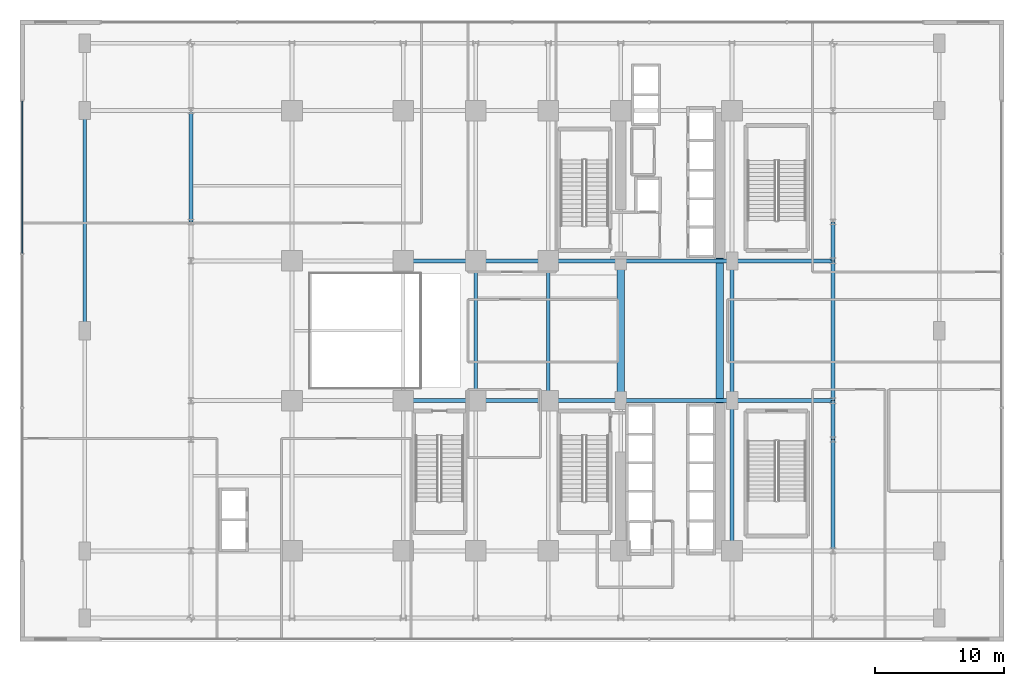
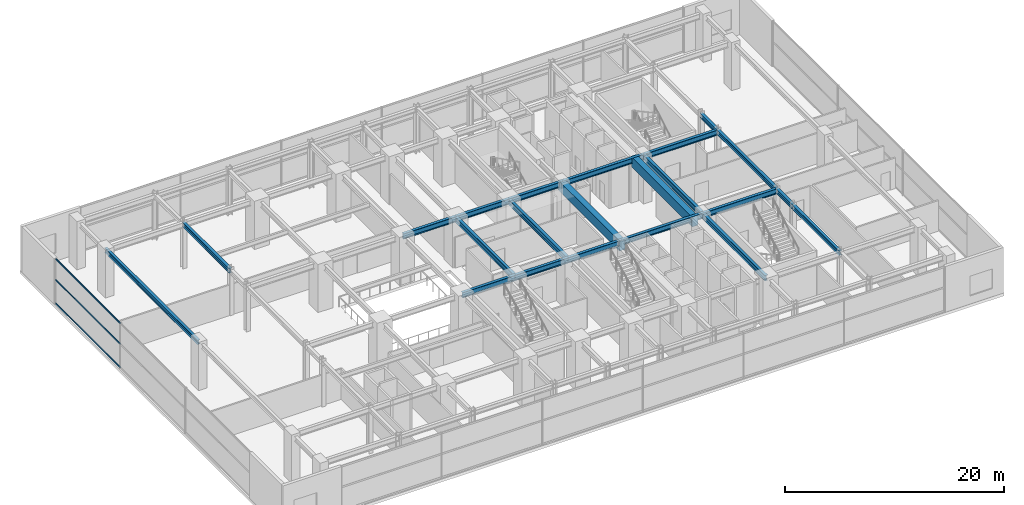
# One storey, part 13 of 32: 22 beams, 3 members, 1 element without a shape of its own.
"""IFC4 building model written with IfcOpenShell, lengths in metres."""

from ifc_helpers import new_model, si_unit, direction, frame, origin, origin_2d, place, context, subcontext, project, spatial, rectangle, hollow_rectangle, i_section, extrude, source, transform, mapped, material, material_profile, profile_set, type_object, element, aggregate, save


model = new_model("IFC4")

# Units and contexts
model_context = context("Model", 3, precision=1e-05, world=origin(), true_north=direction((0.0, 1.0)))
body_context = subcontext(model_context, "Body", "Model", "MODEL_VIEW")
ifc_project = project(units=[si_unit("LENGTHUNIT", "METRE"), si_unit("AREAUNIT", "SQUARE_METRE"), si_unit("VOLUMEUNIT", "CUBIC_METRE"), si_unit("PLANEANGLEUNIT", "RADIAN"), si_unit("MASSUNIT", "GRAM", prefix="KILO")], contexts=[model_context])

# Site, building, storey
site_placement = place(None, origin())
site = spatial("IfcSite", under=ifc_project, at=site_placement, CompositionType="ELEMENT")
building_placement = place(site_placement, origin())
building = spatial("IfcBuilding", under=site, at=building_placement, Name="Nahalor Promenade Grand Hotel", CompositionType="ELEMENT")
storey_placement = place(building_placement, frame((0.0, 0.0, 5.39990234375)))
storey = spatial("IfcBuildingStorey", under=building, at=storey_placement, Name="L01", CompositionType="ELEMENT", Elevation=5.39990234375)

# Beams
ifc_material_1 = material(Name="Concrete B-60 (C50/60)", Category="concrete")
ifc_material_profile_1 = material_profile(ifc_material_1, rectangle(XDim=0.6, YDim=1.1, at=origin_2d()), Name="RC 600x1100")
ifc_profile_set_1 = profile_set([ifc_material_profile_1], Name="Concrete B-60 (C50/60)")
beam_type_1 = type_object("IfcBeamType", Name="Beam-Lintel-RC1100", PredefinedType="LINTEL", material=ifc_profile_set_1)
shared_shape_1 = source(origin(), body_context, "Body", "SweptSolid", [
    extrude(rectangle(XDim=0.6, YDim=1.1, at=origin_2d()), origin(), (0.0, 0.0, 1.0), 11.2001953125),
])
for number, where, z_axis, x_axis, name in (
    (1, (8.39990234375, -5.60009765625, 4.530029296875), (0.0, 1.0, 0.0), (-1.0, 0.0, 0.0), "BM-L01-LINT-W"),
    (2, (16.050048828125, -5.60009765625, 4.530029296875), (0.0, 1.0, 0.0), (-1.0, 0.0, 0.0), "BM-L01-LINT-E"),
):
    element("IfcBeam", number, at=place(storey_placement, frame(where, z_axis=z_axis, x_axis=x_axis)), inside=storey, type_object=beam_type_1, Name=name, PredefinedType="LINTEL", context=body_context, shape_type="MappedRepresentation", body=[
        mapped(shared_shape_1, transform((0.0, 0.0, 0.0), scale=1.0)),
    ])
ifc_material_2 = material(Name="Steel S355JR", Category="steel")
ifc_material_profile_2 = material_profile(ifc_material_2, i_section(OverallWidth=0.3, OverallDepth=0.6, WebThickness=0.0155, FlangeThickness=0.03, at=origin_2d()), Name="HEB 600")
ifc_profile_set_2 = profile_set([ifc_material_profile_2], Name="Steel S355JR")
beam_type_2 = type_object("IfcBeamType", Name="Beam-Girder-HEB600", PredefinedType="BEAM", material=ifc_profile_set_2)
shared_shape_2 = source(origin(), body_context, "Body", "SweptSolid", [
    extrude(i_section(OverallWidth=0.3, OverallDepth=0.6, WebThickness=0.0155, FlangeThickness=0.03, at=origin_2d()), origin(), (0.0, 0.0, 1.0), 7.800048828125),
])
for number, where, z_axis, x_axis, name in (
    (3, (17.0, -5.39990234375, 4.780029296875), (1.0, 0.0, 0.0), (0.0, 1.0, 0.0), "BM-L01-GX-1-6"),
    (4, (17.0, 5.39990234375, 4.780029296875), (1.0, 0.0, 0.0), (0.0, 1.0, 0.0), "BM-L01-GX-2-6"),
):
    element("IfcBeam", number, at=place(storey_placement, frame(where, z_axis=z_axis, x_axis=x_axis)), inside=storey, type_object=beam_type_2, Name=name, PredefinedType="BEAM", context=body_context, shape_type="MappedRepresentation", body=[
        mapped(shared_shape_2, transform((0.0, 0.0, 0.0), scale=1.0)),
    ])
shared_shape_3 = source(origin(), body_context, "Body", "SweptSolid", [
    extrude(i_section(OverallWidth=0.3, OverallDepth=0.6, WebThickness=0.0155, FlangeThickness=0.03, at=origin_2d()), origin(), (0.0, 0.0, 1.0), 8.60009765625),
])
for number, where, z_axis, x_axis, name in (
    (5, (8.39990234375, -5.39990234375, 4.780029296875), (1.0, 0.0, 0.0), (0.0, 1.0, 0.0), "BM-L01-GX-1-5"),
    (6, (8.39990234375, 5.39990234375, 4.780029296875), (1.0, 0.0, 0.0), (0.0, 1.0, 0.0), "BM-L01-GX-2-5"),
):
    element("IfcBeam", number, at=place(storey_placement, frame(where, z_axis=z_axis, x_axis=x_axis)), inside=storey, type_object=beam_type_2, Name=name, PredefinedType="BEAM", context=body_context, shape_type="MappedRepresentation", body=[
        mapped(shared_shape_3, transform((0.0, 0.0, 0.0), scale=1.0)),
    ])
shared_shape_4 = source(origin(), body_context, "Body", "SweptSolid", [
    extrude(i_section(OverallWidth=0.3, OverallDepth=0.6, WebThickness=0.0155, FlangeThickness=0.03, at=origin_2d()), origin(), (0.0, 0.0, 1.0), 5.599853515625),
])
for number, where, z_axis, x_axis, name in (
    (7, (-8.39990234375, -5.39990234375, 4.780029296875), (1.0, 0.0, 0.0), (0.0, 1.0, 0.0), "BM-L01-GX-1-2"),
    (8, (2.800048828125, -5.39990234375, 4.780029296875), (1.0, 0.0, 0.0), (0.0, 1.0, 0.0), "BM-L01-GX-1-4"),
    (9, (-8.39990234375, 5.39990234375, 4.780029296875), (1.0, 0.0, 0.0), (0.0, 1.0, 0.0), "BM-L01-GX-2-2"),
    (10, (2.800048828125, 5.39990234375, 4.780029296875), (1.0, 0.0, 0.0), (0.0, 1.0, 0.0), "BM-L01-GX-2-4"),
):
    element("IfcBeam", number, at=place(storey_placement, frame(where, z_axis=z_axis, x_axis=x_axis)), inside=storey, type_object=beam_type_2, Name=name, PredefinedType="BEAM", context=body_context, shape_type="MappedRepresentation", body=[
        mapped(shared_shape_4, transform((0.0, 0.0, 0.0), scale=1.0)),
    ])
shared_shape_5 = source(origin(), body_context, "Body", "SweptSolid", [
    extrude(i_section(OverallWidth=0.3, OverallDepth=0.6, WebThickness=0.0155, FlangeThickness=0.03, at=origin_2d()), origin(), (0.0, 0.0, 1.0), 5.60009765625),
])
for number, where, z_axis, x_axis, name in (
    (11, (-2.800048828125, -5.39990234375, 4.780029296875), (1.0, 0.0, 0.0), (0.0, 1.0, 0.0), "BM-L01-GX-1-3"),
    (12, (-2.800048828125, 5.39990234375, 4.780029296875), (1.0, 0.0, 0.0), (0.0, 1.0, 0.0), "BM-L01-GX-2-3"),
):
    element("IfcBeam", number, at=place(storey_placement, frame(where, z_axis=z_axis, x_axis=x_axis)), inside=storey, type_object=beam_type_2, Name=name, PredefinedType="BEAM", context=body_context, shape_type="MappedRepresentation", body=[
        mapped(shared_shape_5, transform((0.0, 0.0, 0.0), scale=1.0)),
    ])
shared_shape_6 = source(origin(), body_context, "Body", "SweptSolid", [
    extrude(i_section(OverallWidth=0.3, OverallDepth=0.6, WebThickness=0.0155, FlangeThickness=0.03, at=origin_2d()), origin(), (0.0, 0.0, 1.0), 11.60009765625),
])
beam_1_placement = place(storey_placement, frame((17.0, -17.0, 4.780029296875), z_axis=(0.0, 1.0, 0.0), x_axis=(-1.0, 0.0, 0.0)))
element("IfcBeam", 13, at=beam_1_placement, inside=storey, type_object=beam_type_2, Name="BM-L01-GY-5-1", PredefinedType="BEAM", context=body_context, shape_type="MappedRepresentation", body=[
    mapped(shared_shape_6, transform((0.0, 0.0, 0.0), scale=1.0)),
])
shared_shape_7 = source(origin(), body_context, "Body", "SweptSolid", [
    extrude(i_section(OverallWidth=0.3, OverallDepth=0.6, WebThickness=0.0155, FlangeThickness=0.03, at=origin_2d()), origin(), (0.0, 0.0, 1.0), 10.7998046875),
])
for number, where, z_axis, x_axis, name in (
    (14, (-2.800048828125, -5.39990234375, 4.780029296875), (0.0, 1.0, 0.0), (-1.0, 0.0, 0.0), "BM-L01-GY-2-2"),
    (15, (2.800048828125, -5.39990234375, 4.780029296875), (0.0, 1.0, 0.0), (-1.0, 0.0, 0.0), "BM-L01-GY-3-2"),
    (16, (17.0, -5.39990234375, 4.780029296875), (0.0, 1.0, 0.0), (-1.0, 0.0, 0.0), "BM-L01-GY-5-2"),
):
    element("IfcBeam", number, at=place(storey_placement, frame(where, z_axis=z_axis, x_axis=x_axis)), inside=storey, type_object=beam_type_2, Name=name, PredefinedType="BEAM", context=body_context, shape_type="MappedRepresentation", body=[
        mapped(shared_shape_7, transform((0.0, 0.0, 0.0), scale=1.0)),
    ])
ifc_material_profile_3 = material_profile(ifc_material_2, i_section(OverallWidth=0.3, OverallDepth=0.5, WebThickness=0.0145, FlangeThickness=0.028, at=origin_2d()), Name="HEB 500")
ifc_profile_set_3 = profile_set([ifc_material_profile_3], Name="Steel S355JR")
beam_type_3 = type_object("IfcBeamType", Name="Beam-Spandrel-HEB500", PredefinedType="SPANDREL", material=ifc_profile_set_3)
shared_shape_8 = source(origin(), body_context, "Body", "SweptSolid", [
    extrude(i_section(OverallWidth=0.3, OverallDepth=0.5, WebThickness=0.0145, FlangeThickness=0.028, at=origin_2d()), origin(), (0.0, 0.0, 1.0), 8.60009765625),
])
for number, where, z_axis, x_axis, name in (
    (17, (-24.800048828125, 8.39990234375, 4.830078125), (0.0, 1.0, 0.0), (-1.0, 0.0, 0.0), "BM-L01-SP-W-4"),
    (18, (24.800048828125, -17.0, 4.830078125), (0.0, 1.0, 0.0), (-1.0, 0.0, 0.0), "BM-L01-SP-E-0"),
):
    element("IfcBeam", number, at=place(storey_placement, frame(where, z_axis=z_axis, x_axis=x_axis)), inside=storey, type_object=beam_type_3, Name=name, PredefinedType="SPANDREL", context=body_context, shape_type="MappedRepresentation", body=[
        mapped(shared_shape_8, transform((0.0, 0.0, 0.0), scale=1.0)),
    ])
shared_shape_9 = source(origin(), body_context, "Body", "SweptSolid", [
    extrude(i_section(OverallWidth=0.3, OverallDepth=0.5, WebThickness=0.0145, FlangeThickness=0.028, at=origin_2d()), origin(), (0.0, 0.0, 1.0), 3.0),
])
for number, where, z_axis, x_axis, name in (
    (19, (24.800048828125, -8.39990234375, 4.830078125), (0.0, 1.0, 0.0), (-1.0, 0.0, 0.0), "BM-L01-SP-E-1"),
    (20, (24.800048828125, 5.39990234375, 4.830078125), (0.0, 1.0, 0.0), (-1.0, 0.0, 0.0), "BM-L01-SP-E-3"),
):
    element("IfcBeam", number, at=place(storey_placement, frame(where, z_axis=z_axis, x_axis=x_axis)), inside=storey, type_object=beam_type_3, Name=name, PredefinedType="SPANDREL", context=body_context, shape_type="MappedRepresentation", body=[
        mapped(shared_shape_9, transform((0.0, 0.0, 0.0), scale=1.0)),
    ])
shared_shape_10 = source(origin(), body_context, "Body", "SweptSolid", [
    extrude(i_section(OverallWidth=0.3, OverallDepth=0.5, WebThickness=0.0145, FlangeThickness=0.028, at=origin_2d()), origin(), (0.0, 0.0, 1.0), 10.7998046875),
])
beam_2_placement = place(storey_placement, frame((24.800048828125, -5.39990234375, 4.830078125), z_axis=(0.0, 1.0, 0.0), x_axis=(-1.0, 0.0, 0.0)))
element("IfcBeam", 21, at=beam_2_placement, inside=storey, type_object=beam_type_3, Name="BM-L01-SP-E-2", PredefinedType="SPANDREL", context=body_context, shape_type="MappedRepresentation", body=[
    mapped(shared_shape_10, transform((0.0, 0.0, 0.0), scale=1.0)),
])
shared_shape_11 = source(origin(), body_context, "Body", "SweptSolid", [
    extrude(i_section(OverallWidth=0.3, OverallDepth=0.5, WebThickness=0.0145, FlangeThickness=0.028, at=origin_2d()), origin(), (0.0, 0.0, 1.0), 17.0),
])
beam_3_placement = place(storey_placement, frame((-33.0, 0.0, 4.830078125), z_axis=(0.0, 1.0, 0.0), x_axis=(-1.0, 0.0, 0.0)))
element("IfcBeam", 22, at=beam_3_placement, inside=storey, type_object=beam_type_3, Name="BM-L01-PW-2", PredefinedType="SPANDREL", context=body_context, shape_type="MappedRepresentation", body=[
    mapped(shared_shape_11, transform((0.0, 0.0, 0.0), scale=1.0)),
])

# Curtain wall, members
ifc_material_3 = material(Name="Anodised Bronze Aluminium EN AW-6063 T6", Category="aluminium")
curtain_wall_type = type_object("IfcCurtainWallType", Name="CW1 Waterfront Podium Bronze Arcade Curtain Wall", PredefinedType="USERDEFINED", material=ifc_material_3)
curtain_wall_placement = place(storey_placement, origin())
curtain_wall = element("IfcCurtainWall", 23, at=curtain_wall_placement, inside=storey, type_object=curtain_wall_type, Name="L01 Curtain Wall CW-L01-W", ObjectType="UNITISED_CURTAIN_WALL", PredefinedType="USERDEFINED")
ifc_material_profile_4 = material_profile(ifc_material_3, hollow_rectangle(XDim=0.08, YDim=0.16, WallThickness=0.004, at=origin_2d()), Name="CWT 80x160x4")
ifc_profile_set_4 = profile_set([ifc_material_profile_4], Name="Anodised Bronze Aluminium EN AW-6063 T6")
member_type = type_object("IfcMemberType", Name="CWT1 Podium Bronze Transom 80x160", PredefinedType="USERDEFINED", material=ifc_profile_set_4)
shared_shape_12 = source(origin(), body_context, "Body", "SweptSolid", [
    extrude(hollow_rectangle(XDim=0.08, YDim=0.16, WallThickness=0.004, at=origin_2d()), origin(), (0.0, 0.0, 1.0), 11.760009765625),
])
member_1_placement = place(storey_placement, frame((-37.820068359375, 5.97998046875, 0.080078125), z_axis=(0.0, 1.0, 0.0), x_axis=(-1.0, 0.0, 0.0)))
member_1 = element("IfcMember", 24, at=member_1_placement, type_object=member_type, Name="CW-L01-W Transom 2-0", ObjectType="TRANSOM", PredefinedType="USERDEFINED", context=body_context, shape_type="MappedRepresentation", body=[
    mapped(shared_shape_12, transform((0.0, 0.0, 0.0), scale=1.0)),
])
member_2_placement = place(storey_placement, frame((-37.820068359375, 5.97998046875, 2.7001953125), z_axis=(0.0, 1.0, 0.0), x_axis=(-1.0, 0.0, 0.0)))
member_2 = element("IfcMember", 25, at=member_2_placement, type_object=member_type, Name="CW-L01-W Transom 2-1", ObjectType="TRANSOM", PredefinedType="USERDEFINED", context=body_context, shape_type="MappedRepresentation", body=[
    mapped(shared_shape_12, transform((0.0, 0.0, 0.0), scale=1.0)),
])
member_3_placement = place(storey_placement, frame((-37.820068359375, 5.97998046875, 5.0), z_axis=(0.0, 1.0, 0.0), x_axis=(-1.0, 0.0, 0.0)))
member_3 = element("IfcMember", 26, at=member_3_placement, type_object=member_type, Name="CW-L01-W Transom 2-2", ObjectType="TRANSOM", PredefinedType="USERDEFINED", context=body_context, shape_type="MappedRepresentation", body=[
    mapped(shared_shape_12, transform((0.0, 0.0, 0.0), scale=1.0)),
])
aggregate(curtain_wall, [member_1, member_2, member_3])

save(model, "model.ifc")
